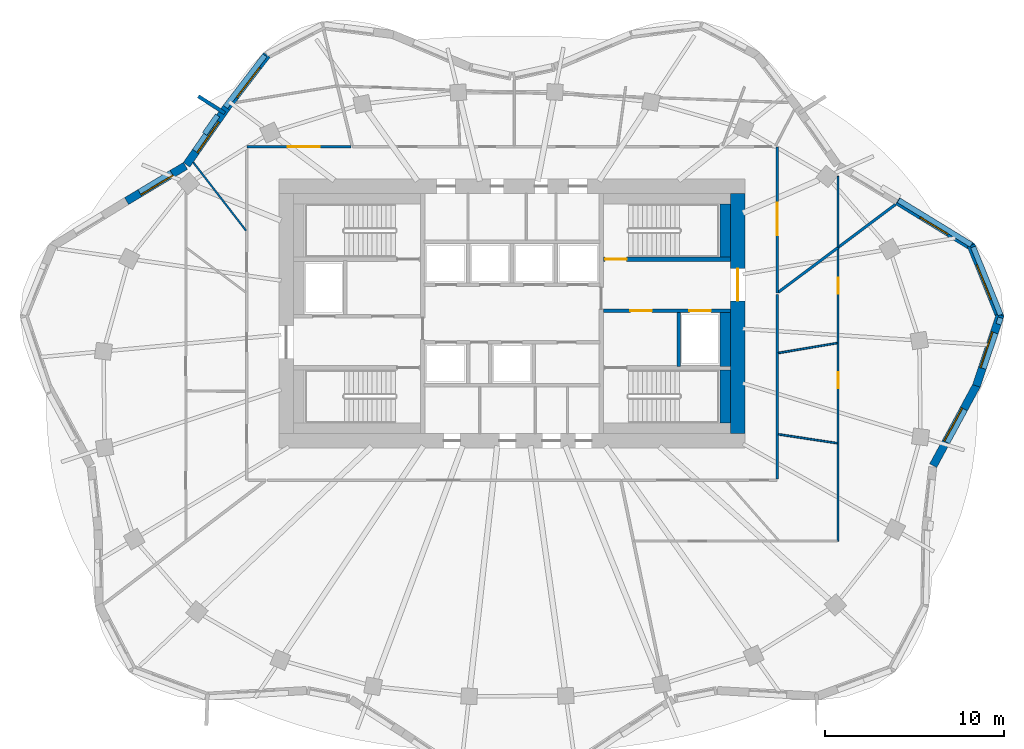
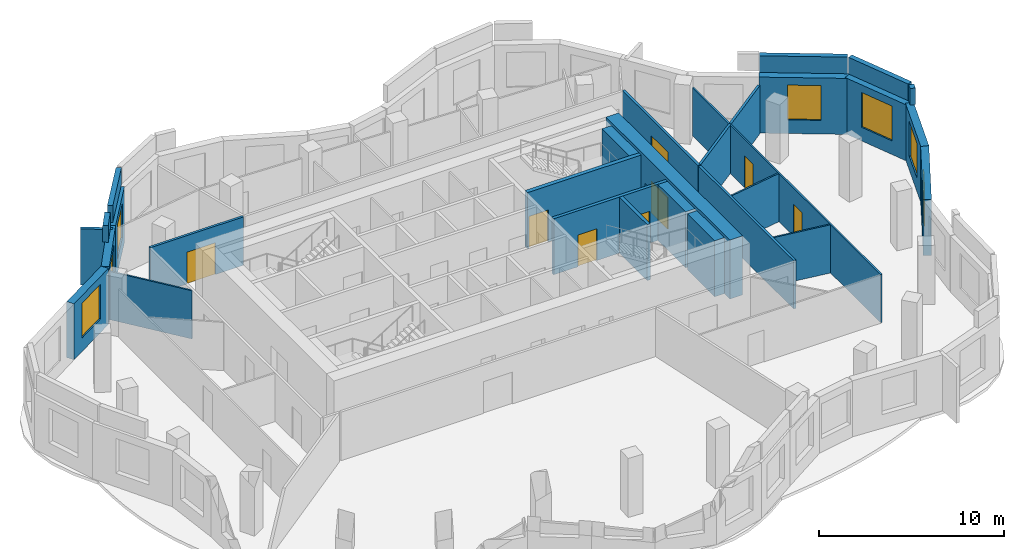
# One storey, part 6 of 9: 29 walls, 8 doors, 7 windows, 15 openings.
"""IFC4 building model written with IfcOpenShell, lengths in metres."""

from ifc_helpers import new_model, si_unit, direction, frame, frame_2d, origin, place, context, subcontext, project, spatial, rectangle, extrude, material, layer, layer_set, type_object, element, fill, save


model = new_model("IFC4")

# Units and contexts
model_context = context("Model", 3, precision=1e-05, world=origin(), true_north=direction((0.0, 1.0)))
body_context = subcontext(model_context, "Body", "Model", "MODEL_VIEW")
ifc_project = project(units=[si_unit("LENGTHUNIT", "METRE"), si_unit("AREAUNIT", "SQUARE_METRE"), si_unit("VOLUMEUNIT", "CUBIC_METRE"), si_unit("PLANEANGLEUNIT", "RADIAN"), si_unit("MASSUNIT", "GRAM", prefix="KILO")], contexts=[model_context])

# Site, building, storey
site_placement = place(None, origin())
site = spatial("IfcSite", under=ifc_project, at=site_placement, CompositionType="ELEMENT")
building_placement = place(site_placement, origin())
building = spatial("IfcBuilding", under=site, at=building_placement, Name="Rubra Terraces Tower", CompositionType="ELEMENT")
storey_placement = place(building_placement, frame((0.0, 0.0, 268.800048828125)))
storey = spatial("IfcBuildingStorey", under=building, at=storey_placement, Name="L66", CompositionType="ELEMENT", Elevation=268.800048828125)

# Wall, opening, window
ifc_material_1 = material(Name="Brick masonry red-brown", Category="masonry")
ifc_layer_1 = layer(ifc_material_1, 0.449951171875)
ifc_layer_set_1 = layer_set([ifc_layer_1], Name="Brick masonry red-brown")
wall_type_1 = type_object("IfcWallType", Name="Brick facade wall 450", PredefinedType="SOLIDWALL", material=ifc_layer_set_1)
wall_1_placement = place(storey_placement, frame((25.916748046875, 0.459228515625, 0.0), z_axis=(0.0, 0.0, 1.0), x_axis=(0.318032670005, 0.948079754456, 0.0)))
wall_1 = element("IfcWall", 1, at=wall_1_placement, inside=storey, type_object=wall_type_1, Name="Facade wall L66 bay 1", PredefinedType="SOLIDWALL", context=body_context, shape_type="SweptSolid", body=[
    extrude(rectangle(XDim=4.178466796875, YDim=0.449951171875, at=frame_2d((2.08935546875, 0.0))), origin(), (0.0, 0.0, 1.0), 3.699951171875),
])
opening_1_placement = place(wall_1_placement, frame((1.039306640625, 0.0, 0.89990234375)))
opening_1 = element("IfcOpeningElement", 2, at=opening_1_placement, cuts=wall_1, Name="Opening W1B", PredefinedType="OPENING", context=body_context, shape_type="SweptSolid", body=[
    extrude(rectangle(XDim=2.10009765625, YDim=2.300048828125, at=frame_2d((1.050048828125, 1.14990234375))), frame((0.0, 0.23486328125, 0.0), z_axis=(0.0, -1.0, 0.0), x_axis=(1.0, 0.0, 0.0)), (0.0, 0.0, 1.0), 0.469970703125),
])
ifc_material_2 = material(Name="Clear glass in aluminium frame", Category="aluminium")
window_type_1 = type_object("IfcWindowType", Name="Fixed deep-set window tall storey 2100 x 2300", PartitioningType="SINGLE_PANEL", PredefinedType="WINDOW", material=ifc_material_2)
window_1_placement = place(opening_1_placement, origin())
window_1 = element("IfcWindow", 3, at=window_1_placement, inside=storey, type_object=window_type_1, Name="Window L66 bay 1", OverallHeight=2.300048828125, OverallWidth=2.10009765625, PartitioningType="SINGLE_PANEL", PredefinedType="WINDOW", context=body_context, shape_type="SweptSolid", body=[
    extrude(rectangle(XDim=2.10009765625, YDim=2.300048828125, at=frame_2d((1.050048828125, 1.14990234375))), frame((0.0, 0.135009765625, 0.0), z_axis=(0.0, -1.0, 0.0), x_axis=(1.0, 0.0, 0.0)), (0.0, 0.0, 1.0), 0.06005859375),
])
fill(opening_1, window_1)

wall_2_placement = place(storey_placement, frame((27.250244140625, 4.264892578125, 0.0), z_axis=(0.0, 0.0, 1.0), x_axis=(-0.373899958574, 0.927469040442, 0.0)))
wall_2 = element("IfcWall", 4, at=wall_2_placement, inside=storey, type_object=wall_type_1, Name="Facade wall L66 bay 2", PredefinedType="SOLIDWALL", context=body_context, shape_type="SweptSolid", body=[
    extrude(rectangle(XDim=4.359130859375, YDim=0.449951171875, at=frame_2d((2.1796875, 0.0))), origin(), (0.0, 0.0, 1.0), 3.699951171875),
])
opening_2_placement = place(wall_2_placement, frame((1.129638671875, 0.0, 0.89990234375)))
opening_2 = element("IfcOpeningElement", 5, at=opening_2_placement, cuts=wall_2, Name="Opening W1B", PredefinedType="OPENING", context=body_context, shape_type="SweptSolid", body=[
    extrude(rectangle(XDim=2.10009765625, YDim=2.300048828125, at=frame_2d((1.050048828125, 1.14990234375))), frame((0.0, 0.23486328125, 0.0), z_axis=(0.0, -1.0, 0.0), x_axis=(1.0, 0.0, 0.0)), (0.0, 0.0, 1.0), 0.469970703125),
])
window_2_placement = place(opening_2_placement, origin())
window_2 = element("IfcWindow", 6, at=window_2_placement, inside=storey, type_object=window_type_1, Name="Window L66 bay 2", OverallHeight=2.300048828125, OverallWidth=2.10009765625, PartitioningType="SINGLE_PANEL", PredefinedType="WINDOW", context=body_context, shape_type="SweptSolid", body=[
    extrude(rectangle(XDim=2.10009765625, YDim=2.300048828125, at=frame_2d((1.050048828125, 1.14990234375))), frame((0.0, 0.135009765625, 0.0), z_axis=(0.0, -1.0, 0.0), x_axis=(1.0, 0.0, 0.0)), (0.0, 0.0, 1.0), 0.06005859375),
])
fill(opening_2, window_2)

wall_3_placement = place(storey_placement, frame((25.70751953125, 8.202392578125, 0.0), z_axis=(0.0, 0.0, 1.0), x_axis=(-0.852620493358, 0.522530663507, 0.0)))
wall_3 = element("IfcWall", 7, at=wall_3_placement, inside=storey, type_object=wall_type_1, Name="Facade wall L66 bay 3", PredefinedType="SOLIDWALL", context=body_context, shape_type="SweptSolid", body=[
    extrude(rectangle(XDim=4.923583984375, YDim=0.449951171875, at=frame_2d((2.4619140625, 0.0))), origin(), (0.0, 0.0, 1.0), 3.699951171875),
])
opening_3_placement = place(wall_3_placement, frame((1.561767578125, 0.0, 0.89990234375)))
opening_3 = element("IfcOpeningElement", 8, at=opening_3_placement, cuts=wall_3, Name="Opening W6B", PredefinedType="OPENING", context=body_context, shape_type="SweptSolid", body=[
    extrude(rectangle(XDim=1.800048828125, YDim=2.300048828125, at=frame_2d((0.89990234375, 1.14990234375))), frame((0.0, 0.23486328125, 0.0), z_axis=(0.0, -1.0, 0.0), x_axis=(1.0, 0.0, 0.0)), (0.0, 0.0, 1.0), 0.469970703125),
])
window_type_2 = type_object("IfcWindowType", Name="Fixed deep-set window at wind fin tall storey 1800 x 2300", PartitioningType="SINGLE_PANEL", PredefinedType="WINDOW", material=ifc_material_2)
window_3_placement = place(opening_3_placement, origin())
window_3 = element("IfcWindow", 9, at=window_3_placement, inside=storey, type_object=window_type_2, Name="Window L66 bay 3", OverallHeight=2.300048828125, OverallWidth=1.800048828125, PartitioningType="SINGLE_PANEL", PredefinedType="WINDOW", context=body_context, shape_type="SweptSolid", body=[
    extrude(rectangle(XDim=1.800048828125, YDim=2.300048828125, at=frame_2d((0.89990234375, 1.14990234375))), frame((0.0, 0.135009765625, 0.0), z_axis=(0.0, -1.0, 0.0), x_axis=(1.0, 0.0, 0.0)), (0.0, 0.0, 1.0), 0.06005859375),
])
fill(opening_3, window_3)

wall_4_placement = place(storey_placement, frame((-13.678955078125, 18.93212890625, 0.0), z_axis=(0.0, 0.0, 1.0), x_axis=(-0.608206493093, -0.793778849403, 0.0)))
wall_4 = element("IfcWall", 10, at=wall_4_placement, inside=storey, type_object=wall_type_1, Name="Facade wall L66 bay 15", PredefinedType="SOLIDWALL", context=body_context, shape_type="SweptSolid", body=[
    extrude(rectangle(XDim=3.712646484375, YDim=0.449951171875, at=frame_2d((1.8564453125, 0.0))), origin(), (0.0, 0.0, 1.0), 3.699951171875),
])
opening_4_placement = place(wall_4_placement, frame((0.806396484375, 0.0, 0.89990234375)))
opening_4 = element("IfcOpeningElement", 11, at=opening_4_placement, cuts=wall_4, Name="Opening W1B", PredefinedType="OPENING", context=body_context, shape_type="SweptSolid", body=[
    extrude(rectangle(XDim=2.10009765625, YDim=2.300048828125, at=frame_2d((1.050048828125, 1.14990234375))), frame((0.0, 0.23486328125, 0.0), z_axis=(0.0, -1.0, 0.0), x_axis=(1.0, 0.0, 0.0)), (0.0, 0.0, 1.0), 0.469970703125),
])
window_4_placement = place(opening_4_placement, origin())
window_4 = element("IfcWindow", 12, at=window_4_placement, inside=storey, type_object=window_type_1, Name="Window L66 bay 15", OverallHeight=2.300048828125, OverallWidth=2.10009765625, PartitioningType="SINGLE_PANEL", PredefinedType="WINDOW", context=body_context, shape_type="SweptSolid", body=[
    extrude(rectangle(XDim=2.10009765625, YDim=2.300048828125, at=frame_2d((1.050048828125, 1.14990234375))), frame((0.0, 0.135009765625, 0.0), z_axis=(0.0, -1.0, 0.0), x_axis=(1.0, 0.0, 0.0)), (0.0, 0.0, 1.0), 0.06005859375),
])
fill(opening_4, window_4)

wall_5_placement = place(storey_placement, frame((-15.93115234375, 15.992919921875, 0.0), z_axis=(0.0, 0.0, 1.0), x_axis=(-0.572923675708, -0.819608724828, 0.0)))
wall_5 = element("IfcWall", 13, at=wall_5_placement, inside=storey, type_object=wall_type_1, Name="Facade wall L66 bay 16", PredefinedType="SOLIDWALL", context=body_context, shape_type="SweptSolid", body=[
    extrude(rectangle(XDim=3.89453125, YDim=0.449951171875, at=frame_2d((1.947265625, 0.0))), origin(), (0.0, 0.0, 1.0), 3.699951171875),
])
opening_5_placement = place(wall_5_placement, frame((0.897216796875, 0.0, 0.89990234375)))
opening_5 = element("IfcOpeningElement", 14, at=opening_5_placement, cuts=wall_5, Name="Opening W1B", PredefinedType="OPENING", context=body_context, shape_type="SweptSolid", body=[
    extrude(rectangle(XDim=2.10009765625, YDim=2.300048828125, at=frame_2d((1.050048828125, 1.14990234375))), frame((0.0, 0.23486328125, 0.0), z_axis=(0.0, -1.0, 0.0), x_axis=(1.0, 0.0, 0.0)), (0.0, 0.0, 1.0), 0.469970703125),
])
window_5_placement = place(opening_5_placement, origin())
window_5 = element("IfcWindow", 15, at=window_5_placement, inside=storey, type_object=window_type_1, Name="Window L66 bay 16", OverallHeight=2.300048828125, OverallWidth=2.10009765625, PartitioningType="SINGLE_PANEL", PredefinedType="WINDOW", context=body_context, shape_type="SweptSolid", body=[
    extrude(rectangle(XDim=2.10009765625, YDim=2.300048828125, at=frame_2d((1.050048828125, 1.14990234375))), frame((0.0, 0.135009765625, 0.0), z_axis=(0.0, -1.0, 0.0), x_axis=(1.0, 0.0, 0.0)), (0.0, 0.0, 1.0), 0.06005859375),
])
fill(opening_5, window_5)

wall_6_placement = place(storey_placement, frame((-18.224853515625, 12.74169921875, 0.0), z_axis=(0.0, 0.0, 1.0), x_axis=(-0.857965073766, -0.513708022322, 0.0)))
wall_6 = element("IfcWall", 16, at=wall_6_placement, inside=storey, type_object=wall_type_1, Name="Facade wall L66 bay 17", PredefinedType="SOLIDWALL", context=body_context, shape_type="SweptSolid", body=[
    extrude(rectangle(XDim=3.82958984375, YDim=0.449951171875, at=frame_2d((1.914794921875, 0.0))), origin(), (0.0, 0.0, 1.0), 3.699951171875),
])
opening_6_placement = place(wall_6_placement, frame((0.86474609375, 0.0, 0.89990234375)))
opening_6 = element("IfcOpeningElement", 17, at=opening_6_placement, cuts=wall_6, Name="Opening W1B", PredefinedType="OPENING", context=body_context, shape_type="SweptSolid", body=[
    extrude(rectangle(XDim=2.10009765625, YDim=2.300048828125, at=frame_2d((1.050048828125, 1.14990234375))), frame((0.0, 0.23486328125, 0.0), z_axis=(0.0, -1.0, 0.0), x_axis=(1.0, 0.0, 0.0)), (0.0, 0.0, 1.0), 0.469970703125),
])
window_6_placement = place(opening_6_placement, origin())
window_6 = element("IfcWindow", 18, at=window_6_placement, inside=storey, type_object=window_type_1, Name="Window L66 bay 17", OverallHeight=2.300048828125, OverallWidth=2.10009765625, PartitioningType="SINGLE_PANEL", PredefinedType="WINDOW", context=body_context, shape_type="SweptSolid", body=[
    extrude(rectangle(XDim=2.10009765625, YDim=2.300048828125, at=frame_2d((1.050048828125, 1.14990234375))), frame((0.0, 0.135009765625, 0.0), z_axis=(0.0, -1.0, 0.0), x_axis=(1.0, 0.0, 0.0)), (0.0, 0.0, 1.0), 0.06005859375),
])
fill(opening_6, window_6)

wall_7_placement = place(storey_placement, frame((23.508056640625, -3.990478515625, 0.0), z_axis=(0.0, 0.0, 1.0), x_axis=(0.475469958794, 0.879731958203, 0.0)))
wall_7 = element("IfcWall", 19, at=wall_7_placement, inside=storey, type_object=wall_type_1, Name="Facade wall L66 bay 40", PredefinedType="SOLIDWALL", context=body_context, shape_type="SweptSolid", body=[
    extrude(rectangle(XDim=5.09814453125, YDim=0.449951171875, at=frame_2d((2.549072265625, 0.0))), origin(), (0.0, 0.0, 1.0), 3.699951171875),
])
opening_7_placement = place(wall_7_placement, frame((1.4990234375, 0.0, 0.89990234375)))
opening_7 = element("IfcOpeningElement", 20, at=opening_7_placement, cuts=wall_7, Name="Opening W1B", PredefinedType="OPENING", context=body_context, shape_type="SweptSolid", body=[
    extrude(rectangle(XDim=2.10009765625, YDim=2.300048828125, at=frame_2d((1.050048828125, 1.14990234375))), frame((0.0, 0.23486328125, 0.0), z_axis=(0.0, -1.0, 0.0), x_axis=(1.0, 0.0, 0.0)), (0.0, 0.0, 1.0), 0.469970703125),
])
window_7_placement = place(opening_7_placement, origin())
window_7 = element("IfcWindow", 21, at=window_7_placement, inside=storey, type_object=window_type_1, Name="Window L66 bay 40", OverallHeight=2.300048828125, OverallWidth=2.10009765625, PartitioningType="SINGLE_PANEL", PredefinedType="WINDOW", context=body_context, shape_type="SweptSolid", body=[
    extrude(rectangle(XDim=2.10009765625, YDim=2.300048828125, at=frame_2d((1.050048828125, 1.14990234375))), frame((0.0, 0.135009765625, 0.0), z_axis=(0.0, -1.0, 0.0), x_axis=(1.0, 0.0, 0.0)), (0.0, 0.0, 1.0), 0.06005859375),
])
fill(opening_7, window_7)

# Walls
ifc_layer_2 = layer(ifc_material_1, 0.300048828125)
ifc_layer_set_2 = layer_set([ifc_layer_2], Name="Brick masonry red-brown")
wall_type_2 = type_object("IfcWallType", Name="Brick parapet 300", PredefinedType="PARAPET", material=ifc_layer_set_2)
wall_8_placement = place(storey_placement, frame((27.14990234375, 3.89892578125, 3.89990234375), z_axis=(0.0, 0.0, 1.0), x_axis=(0.317752569667, 0.948173667885, 0.0)))
element("IfcWall", 22, at=wall_8_placement, inside=storey, type_object=wall_type_2, Name="Parapet L66 bay 1", PredefinedType="PARAPET", context=body_context, shape_type="SweptSolid", body=[
    extrude(rectangle(XDim=0.38427734375, YDim=0.300048828125, at=frame_2d((0.192138671875, 0.0))), origin(), (0.0, 0.0, 1.0), 1.10009765625),
])
wall_9_placement = place(storey_placement, frame((27.267333984375, 4.42333984375, 3.89990234375), z_axis=(0.0, 0.0, 1.0), x_axis=(-0.373941833041, 0.927452158066, 0.0)))
element("IfcWall", 23, at=wall_9_placement, inside=storey, type_object=wall_type_2, Name="Parapet L66 bay 2", PredefinedType="PARAPET", context=body_context, shape_type="SweptSolid", body=[
    extrude(rectangle(XDim=4.089599609375, YDim=0.300048828125, at=frame_2d((2.044921875, 0.0))), origin(), (0.0, 0.0, 1.0), 1.10009765625),
])
wall_10_placement = place(storey_placement, frame((25.640625, 8.33154296875, 3.89990234375), z_axis=(0.0, 0.0, 1.0), x_axis=(-0.85262629133, 0.522521202758, 0.0)))
element("IfcWall", 24, at=wall_10_placement, inside=storey, type_object=wall_type_2, Name="Parapet L66 bay 3", PredefinedType="PARAPET", context=body_context, shape_type="SweptSolid", body=[
    extrude(rectangle(XDim=4.764404296875, YDim=0.300048828125, at=frame_2d((2.38232421875, 0.0))), origin(), (0.0, 0.0, 1.0), 1.10009765625),
])
wall_11_placement = place(storey_placement, frame((-13.794921875, 18.904052734375, 3.89990234375), z_axis=(0.0, 0.0, 1.0), x_axis=(-0.608203510632, -0.793781134605, 0.0)))
element("IfcWall", 25, at=wall_11_placement, inside=storey, type_object=wall_type_2, Name="Parapet L66 bay 15", PredefinedType="PARAPET", context=body_context, shape_type="SweptSolid", body=[
    extrude(rectangle(XDim=3.619140625, YDim=0.300048828125, at=frame_2d((1.8095703125, 0.0))), origin(), (0.0, 0.0, 1.0), 1.10009765625),
])
wall_12_placement = place(storey_placement, frame((-16.431396484375, 15.553466796875, 3.89990234375), z_axis=(0.0, 0.0, 1.0), x_axis=(-0.572902892741, -0.819623252165, 0.0)))
element("IfcWall", 26, at=wall_12_placement, inside=storey, type_object=wall_type_2, Name="Parapet L66 bay 16", PredefinedType="PARAPET", context=body_context, shape_type="SweptSolid", body=[
    extrude(rectangle(XDim=1.259765625, YDim=0.300048828125, at=frame_2d((0.6298828125, 0.0))), origin(), (0.0, 0.0, 1.0), 1.10009765625),
])
ifc_layer_3 = layer(ifc_material_1, 0.199951171875)
ifc_layer_set_3 = layer_set([ifc_layer_3], Name="Brick masonry red-brown")
wall_type_3 = type_object("IfcWallType", Name="Brick wind fin 200", PredefinedType="SOLIDWALL", material=ifc_layer_set_3)
wall_13_placement = place(storey_placement, frame((-16.032958984375, 15.679931640625, 0.0), z_axis=(0.0, 0.0, 1.0), x_axis=(-0.842083858075, 0.539346619503, 0.0)))
element("IfcWall", 27, at=wall_13_placement, inside=storey, type_object=wall_type_3, Name="Wind fin L66 8", PredefinedType="SOLIDWALL", context=body_context, shape_type="SweptSolid", body=[
    extrude(rectangle(XDim=1.75, YDim=0.199951171875, at=frame_2d((0.875, 0.0))), origin(), (0.0, 0.0, 1.0), 3.699951171875),
])

# Wall, opening, door
ifc_material_3 = material(Name="Concrete C50", Category="concrete")
ifc_layer_4 = layer(ifc_material_3, 0.800048828125)
ifc_layer_set_4 = layer_set([ifc_layer_4], Name="Concrete C50")
wall_type_4 = type_object("IfcWallType", Name="CORE WALL 800 C50", PredefinedType="SHEAR", material=ifc_layer_set_4)
wall_14_placement = place(storey_placement, frame((12.60009765625, -2.199951171875, 0.0), z_axis=(0.0, 0.0, 1.0), x_axis=(0.0, 1.0, 0.0)))
wall_14 = element("IfcWall", 28, at=wall_14_placement, inside=storey, type_object=wall_type_4, Name="CORE WALL E L66", PredefinedType="SHEAR", context=body_context, shape_type="SweptSolid", body=[
    extrude(rectangle(XDim=13.39990234375, YDim=0.800048828125, at=frame_2d((6.699951171875, 0.0))), origin(), (0.0, 0.0, 1.0), 3.89990234375),
])
opening_8_placement = place(wall_14_placement, frame((7.39990234375, 0.0, 0.0)))
opening_8 = element("IfcOpeningElement", 29, at=opening_8_placement, cuts=wall_14, Name="Opening L66.C02", PredefinedType="OPENING", context=body_context, shape_type="SweptSolid", body=[
    extrude(rectangle(XDim=1.800048828125, YDim=2.10009765625, at=frame_2d((0.89990234375, 1.050048828125))), frame((0.0, 0.409912109375, 0.0), z_axis=(0.0, -1.0, 0.0), x_axis=(1.0, 0.0, 0.0)), (0.0, 0.0, 1.0), 0.820068359375),
])
ifc_material_4 = material(Name="Painted steel", Category="steel")
door_type_1 = type_object("IfcDoorType", Name="Fire door 1800x2100 double", OperationType="NOTDEFINED", PredefinedType="DOOR", material=ifc_material_4)
door_1_placement = place(opening_8_placement, origin())
door_1 = element("IfcDoor", 30, at=door_1_placement, inside=storey, type_object=door_type_1, Name="Core entrance door FF2", OperationType="DOUBLE_DOOR_SINGLE_SWING", OverallHeight=2.10009765625, OverallWidth=1.800048828125, PredefinedType="DOOR", context=body_context, shape_type="SweptSolid", body=[
    extrude(rectangle(XDim=1.800048828125, YDim=2.10009765625, at=frame_2d((0.89990234375, 1.050048828125))), frame((0.0, 0.02490234375, 0.0), z_axis=(0.0, -1.0, 0.0), x_axis=(1.0, 0.0, 0.0)), (0.0, 0.0, 1.0), 0.050048828125),
])
fill(opening_8, door_1)

ifc_material_5 = material(Name="Plasterboard on steel stud, mineral wool infill", Category="steel")
ifc_layer_5 = layer(ifc_material_5, 0.14990234375)
ifc_layer_set_5 = layer_set([ifc_layer_5], Name="Plasterboard on steel stud, mineral wool infill")
wall_type_5 = type_object("IfcWallType", Name="CORRIDOR PARTITION 150", PredefinedType="PARTITIONING", material=ifc_layer_set_5)
wall_15_placement = place(storey_placement, frame((14.800048828125, 5.6396484375, 0.0), z_axis=(0.0, 0.0, 1.0), x_axis=(0.0, 1.0, 0.0)))
wall_15 = element("IfcWall", 31, at=wall_15_placement, inside=storey, type_object=wall_type_5, Name="PARTITION", PredefinedType="PARTITIONING", context=body_context, shape_type="SweptSolid", body=[
    extrude(rectangle(XDim=8.160400390625, YDim=0.14990234375, at=frame_2d((4.080078125, 0.0))), origin(), (0.0, 0.0, 1.0), 3.197998046875),
])
opening_9_placement = place(wall_15_placement, frame((3.239990234375, 0.0, 0.0)))
opening_9 = element("IfcOpeningElement", 32, at=opening_9_placement, cuts=wall_15, Name="Opening 66-101", PredefinedType="OPENING", context=body_context, shape_type="SweptSolid", body=[
    extrude(rectangle(XDim=1.800048828125, YDim=2.10009765625, at=frame_2d((0.89990234375, 1.050048828125))), frame((0.0, 0.0849609375, 0.0), z_axis=(0.0, -1.0, 0.0), x_axis=(1.0, 0.0, 0.0)), (0.0, 0.0, 1.0), 0.169921875),
])
ifc_material_6 = material(Name="Painted timber door leaf, double", Category="wood")
door_type_2 = type_object("IfcDoorType", Name="ROOM DOUBLE DOOR 1800 X 2100", OperationType="DOUBLE_DOOR_SINGLE_SWING", PredefinedType="DOOR", material=ifc_material_6)
door_2_placement = place(opening_9_placement, origin())
door_2 = element("IfcDoor", 33, at=door_2_placement, inside=storey, type_object=door_type_2, Name="DOOR 66-101", OperationType="DOUBLE_DOOR_SINGLE_SWING", OverallHeight=2.10009765625, OverallWidth=1.800048828125, PredefinedType="DOOR", context=body_context, shape_type="SweptSolid", body=[
    extrude(rectangle(XDim=1.800048828125, YDim=2.10009765625, at=frame_2d((0.89990234375, 1.050048828125))), frame((0.0, 0.02490234375, 0.0), z_axis=(0.0, -1.0, 0.0), x_axis=(1.0, 0.0, 0.0)), (0.0, 0.0, 1.0), 0.050048828125),
])
fill(opening_9, door_2)

wall_16_placement = place(storey_placement, frame((-8.97705078125, 13.800048828125, 0.0), z_axis=(0.0, 0.0, 1.0), x_axis=(-1.0, 0.0, 0.0)))
wall_16 = element("IfcWall", 34, at=wall_16_placement, inside=storey, type_object=wall_type_5, Name="PARTITION", PredefinedType="PARTITIONING", context=body_context, shape_type="SweptSolid", body=[
    extrude(rectangle(XDim=5.822998046875, YDim=0.14990234375, at=frame_2d((2.91162109375, 0.0))), origin(), (0.0, 0.0, 1.0), 3.197998046875),
])
opening_10_placement = place(wall_16_placement, frame((1.75, 0.0, 0.0)))
opening_10 = element("IfcOpeningElement", 35, at=opening_10_placement, cuts=wall_16, Name="Opening 66-105", PredefinedType="OPENING", context=body_context, shape_type="SweptSolid", body=[
    extrude(rectangle(XDim=1.800048828125, YDim=2.10009765625, at=frame_2d((0.89990234375, 1.050048828125))), frame((0.0, 0.0849609375, 0.0), z_axis=(0.0, -1.0, 0.0), x_axis=(1.0, 0.0, 0.0)), (0.0, 0.0, 1.0), 0.169921875),
])
door_3_placement = place(opening_10_placement, origin())
door_3 = element("IfcDoor", 36, at=door_3_placement, inside=storey, type_object=door_type_2, Name="DOOR 66-105", OperationType="DOUBLE_DOOR_SINGLE_SWING", OverallHeight=2.10009765625, OverallWidth=1.800048828125, PredefinedType="DOOR", context=body_context, shape_type="SweptSolid", body=[
    extrude(rectangle(XDim=1.800048828125, YDim=2.10009765625, at=frame_2d((0.89990234375, 1.050048828125))), frame((0.0, 0.02490234375, 0.0), z_axis=(0.0, -1.0, 0.0), x_axis=(1.0, 0.0, 0.0)), (0.0, 0.0, 1.0), 0.050048828125),
])
fill(opening_10, door_3)

# Walls
wall_17_placement = place(storey_placement, frame((14.800048828125, -4.72509765625, 0.0), z_axis=(0.0, 0.0, 1.0), x_axis=(0.0, 1.0, 0.0)))
element("IfcWall", 37, at=wall_17_placement, inside=storey, type_object=wall_type_5, Name="PARTITION", PredefinedType="PARTITIONING", context=body_context, shape_type="SweptSolid", body=[
    extrude(rectangle(XDim=10.289794921875, YDim=0.14990234375, at=frame_2d((5.14501953125, 0.0))), origin(), (0.0, 0.0, 1.0), 3.197998046875),
])
ifc_material_7 = material(Name="Concrete C40", Category="concrete")
ifc_layer_6 = layer(ifc_material_7, 0.60009765625)
ifc_layer_set_6 = layer_set([ifc_layer_6], Name="Concrete C40")
wall_type_6 = type_object("IfcWallType", Name="Core lining wall 600 concrete", PredefinedType="SOLIDWALL", material=ifc_layer_set_6)
wall_18_placement = place(storey_placement, frame((11.89990234375, 10.60009765625, 0.0), z_axis=(0.0, 0.0, 1.0), x_axis=(0.0, -1.0, 0.0)))
element("IfcWall", 38, at=wall_18_placement, inside=storey, type_object=wall_type_6, Name="CORE LINING WALL L66", PredefinedType="SOLIDWALL", context=body_context, shape_type="SweptSolid", body=[
    extrude(rectangle(XDim=2.9501953125, YDim=0.60009765625, at=frame_2d((1.47509765625, 0.0))), origin(), (0.0, 0.0, 1.0), 3.699951171875),
])
wall_19_placement = place(storey_placement, frame((11.89990234375, 4.550048828125, 0.0), z_axis=(0.0, 0.0, 1.0), x_axis=(0.0, -1.0, 0.0)))
element("IfcWall", 39, at=wall_19_placement, inside=storey, type_object=wall_type_6, Name="CORE LINING WALL L66", PredefinedType="SOLIDWALL", context=body_context, shape_type="SweptSolid", body=[
    extrude(rectangle(XDim=3.0, YDim=0.60009765625, at=frame_2d((1.5, 0.0))), origin(), (0.0, 0.0, 1.0), 3.699951171875),
])
wall_20_placement = place(storey_placement, frame((11.89990234375, 1.35009765625, 0.0), z_axis=(0.0, 0.0, 1.0), x_axis=(0.0, -1.0, 0.0)))
element("IfcWall", 40, at=wall_20_placement, inside=storey, type_object=wall_type_6, Name="CORE LINING WALL L66", PredefinedType="SOLIDWALL", context=body_context, shape_type="SweptSolid", body=[
    extrude(rectangle(XDim=2.9501953125, YDim=0.60009765625, at=frame_2d((1.47509765625, 0.0))), origin(), (0.0, 0.0, 1.0), 3.699951171875),
])

# Wall, openings, doors
ifc_material_8 = material(Name="Concrete C30", Category="concrete")
ifc_layer_7 = layer(ifc_material_8, 0.199951171875)
ifc_layer_set_7 = layer_set([ifc_layer_7], Name="Concrete C30")
wall_type_7 = type_object("IfcWallType", Name="Core wall 200 concrete", PredefinedType="SOLIDWALL", material=ifc_layer_set_7)
wall_21_placement = place(storey_placement, frame((12.199951171875, 4.64990234375, 0.0), z_axis=(0.0, 0.0, 1.0), x_axis=(-1.0, 0.0, 0.0)))
wall_21 = element("IfcWall", 41, at=wall_21_placement, inside=storey, type_object=wall_type_7, Name="STAIR WALL L66", PredefinedType="SOLIDWALL", context=body_context, shape_type="SweptSolid", body=[
    extrude(rectangle(XDim=7.099853515625, YDim=0.199951171875, at=frame_2d((3.5498046875, 0.0))), origin(), (0.0, 0.0, 1.0), 3.699951171875),
])
opening_11_placement = place(wall_21_placement, frame((4.39990234375, 0.0, 0.0)))
opening_11 = element("IfcOpeningElement", 42, at=opening_11_placement, cuts=wall_21, Name="Opening L66.C06", PredefinedType="OPENING", context=body_context, shape_type="SweptSolid", body=[
    extrude(rectangle(XDim=1.199951171875, YDim=2.10009765625, at=frame_2d((0.60009765625, 1.050048828125))), frame((0.0, 0.10986328125, 0.0), z_axis=(0.0, -1.0, 0.0), x_axis=(1.0, 0.0, 0.0)), (0.0, 0.0, 1.0), 0.219970703125),
])
opening_12_placement = place(wall_21_placement, frame((1.10009765625, 0.0, 0.0)))
opening_12 = element("IfcOpeningElement", 43, at=opening_12_placement, cuts=wall_21, Name="Opening L66.C12", PredefinedType="OPENING", context=body_context, shape_type="SweptSolid", body=[
    extrude(rectangle(XDim=1.199951171875, YDim=2.10009765625, at=frame_2d((0.60009765625, 1.050048828125))), frame((0.0, 0.10986328125, 0.0), z_axis=(0.0, -1.0, 0.0), x_axis=(1.0, 0.0, 0.0)), (0.0, 0.0, 1.0), 0.219970703125),
])
door_type_3 = type_object("IfcDoorType", Name="Fire door 1200x2100 single", OperationType="NOTDEFINED", PredefinedType="DOOR", material=ifc_material_4)
door_4_placement = place(opening_11_placement, origin())
door_4 = element("IfcDoor", 44, at=door_4_placement, inside=storey, type_object=door_type_3, Name="Stair vestibule door S4", OperationType="SINGLE_SWING_RIGHT", OverallHeight=2.10009765625, OverallWidth=1.199951171875, PredefinedType="DOOR", context=body_context, shape_type="SweptSolid", body=[
    extrude(rectangle(XDim=1.199951171875, YDim=2.10009765625, at=frame_2d((0.60009765625, 1.050048828125))), frame((0.0, 0.02490234375, 0.0), z_axis=(0.0, -1.0, 0.0), x_axis=(1.0, 0.0, 0.0)), (0.0, 0.0, 1.0), 0.050048828125),
])
fill(opening_11, door_4)
ifc_material_9 = material(Name="Stainless steel", Category="steel")
door_type_4 = type_object("IfcDoorType", Name="Lift landing door 1200x2100", OperationType="NOTDEFINED", PredefinedType="DOOR", material=ifc_material_9)
door_5_placement = place(opening_12_placement, origin())
door_5 = element("IfcDoor", 45, at=door_5_placement, inside=storey, type_object=door_type_4, Name="Landing door FF2", OperationType="SLIDING_TO_RIGHT", OverallHeight=2.10009765625, OverallWidth=1.199951171875, PredefinedType="DOOR", context=body_context, shape_type="SweptSolid", body=[
    extrude(rectangle(XDim=1.199951171875, YDim=2.10009765625, at=frame_2d((0.60009765625, 1.050048828125))), frame((0.0, 0.02490234375, 0.0), z_axis=(0.0, -1.0, 0.0), x_axis=(1.0, 0.0, 0.0)), (0.0, 0.0, 1.0), 0.050048828125),
])
fill(opening_12, door_5)

# Walls
wall_22_placement = place(storey_placement, frame((9.300048828125, 4.550048828125, 0.0), z_axis=(0.0, 0.0, 1.0), x_axis=(0.0, -1.0, 0.0)))
element("IfcWall", 46, at=wall_22_placement, inside=storey, type_object=wall_type_7, Name="STAIR WALL L66", PredefinedType="SOLIDWALL", context=body_context, shape_type="SweptSolid", body=[
    extrude(rectangle(XDim=3.0, YDim=0.199951171875, at=frame_2d((1.5, 0.0))), origin(), (0.0, 0.0, 1.0), 3.699951171875),
])
ifc_material_10 = material(Name="Plasterboard on steel stud", Category="steel")
ifc_layer_8 = layer(ifc_material_10, 0.10009765625)
ifc_layer_set_8 = layer_set([ifc_layer_8], Name="Plasterboard on steel stud")
wall_type_8 = type_object("IfcWallType", Name="ROOM PARTITION 100", PredefinedType="PARTITIONING", material=ifc_layer_set_8)
wall_23_placement = place(storey_placement, frame((18.199951171875, 12.158447265625, 0.0), z_axis=(0.0, 0.0, 1.0), x_axis=(0.0, -1.0, 0.0)))
element("IfcWall", 47, at=wall_23_placement, inside=storey, type_object=wall_type_8, Name="PARTITION", PredefinedType="PARTITIONING", context=body_context, shape_type="SweptSolid", body=[
    extrude(rectangle(XDim=3.94775390625, YDim=0.10009765625, at=frame_2d((1.973876953125, 0.0))), origin(), (0.0, 0.0, 1.0), 3.183837890625),
])
wall_24_placement = place(storey_placement, frame((-14.845947265625, 9.129150390625, 0.0), z_axis=(0.0, 0.0, 1.0), x_axis=(-0.611737488733, 0.791060835132, 0.0)))
element("IfcWall", 48, at=wall_24_placement, inside=storey, type_object=wall_type_8, Name="PARTITION", PredefinedType="PARTITIONING", context=body_context, shape_type="SweptSolid", body=[
    extrude(rectangle(XDim=4.8154296875, YDim=0.10009765625, at=frame_2d((2.40771484375, 0.0))), origin(), (0.0, 0.0, 1.0), 3.183837890625),
])

# Wall, openings, doors
wall_25_placement = place(storey_placement, frame((18.199951171875, 8.160888671875, 0.0), z_axis=(0.0, 0.0, 1.0), x_axis=(0.0, -1.0, 0.0)))
wall_25 = element("IfcWall", 49, at=wall_25_placement, inside=storey, type_object=wall_type_8, Name="PARTITION", PredefinedType="PARTITIONING", context=body_context, shape_type="SweptSolid", body=[
    extrude(rectangle(XDim=16.36083984375, YDim=0.10009765625, at=frame_2d((8.180419921875, 0.0))), origin(), (0.0, 0.0, 1.0), 3.183837890625),
])
opening_13_placement = place(wall_25_placement, frame((6.93798828125, 0.0, 0.0)))
opening_13 = element("IfcOpeningElement", 50, at=opening_13_placement, cuts=wall_25, Name="Opening 66-113", PredefinedType="OPENING", context=body_context, shape_type="SweptSolid", body=[
    extrude(rectangle(XDim=0.89990234375, YDim=2.10009765625, at=frame_2d((0.449951171875, 1.050048828125))), frame((0.0, 0.06005859375, 0.0), z_axis=(0.0, -1.0, 0.0), x_axis=(1.0, 0.0, 0.0)), (0.0, 0.0, 1.0), 0.1201171875),
])
opening_14_placement = place(wall_25_placement, frame((1.652099609375, 0.0, 0.0)))
opening_14 = element("IfcOpeningElement", 51, at=opening_14_placement, cuts=wall_25, Name="Opening 66-114", PredefinedType="OPENING", context=body_context, shape_type="SweptSolid", body=[
    extrude(rectangle(XDim=0.89990234375, YDim=2.10009765625, at=frame_2d((0.449951171875, 1.050048828125))), frame((0.0, 0.06005859375, 0.0), z_axis=(0.0, -1.0, 0.0), x_axis=(1.0, 0.0, 0.0)), (0.0, 0.0, 1.0), 0.1201171875),
])
ifc_material_11 = material(Name="Painted timber door leaf", Category="wood")
door_type_5 = type_object("IfcDoorType", Name="ROOM DOOR 900 X 2100", OperationType="SINGLE_SWING_LEFT", PredefinedType="DOOR", material=ifc_material_11)
door_6_placement = place(opening_13_placement, origin())
door_6 = element("IfcDoor", 52, at=door_6_placement, inside=storey, type_object=door_type_5, Name="DOOR 66-113", OperationType="SINGLE_SWING_LEFT", OverallHeight=2.10009765625, OverallWidth=0.89990234375, PredefinedType="DOOR", context=body_context, shape_type="SweptSolid", body=[
    extrude(rectangle(XDim=0.89990234375, YDim=2.10009765625, at=frame_2d((0.449951171875, 1.050048828125))), frame((0.0, 0.02490234375, 0.0), z_axis=(0.0, -1.0, 0.0), x_axis=(1.0, 0.0, 0.0)), (0.0, 0.0, 1.0), 0.050048828125),
])
fill(opening_13, door_6)
door_7_placement = place(opening_14_placement, origin())
door_7 = element("IfcDoor", 53, at=door_7_placement, inside=storey, type_object=door_type_5, Name="DOOR 66-114", OperationType="SINGLE_SWING_LEFT", OverallHeight=2.10009765625, OverallWidth=0.89990234375, PredefinedType="DOOR", context=body_context, shape_type="SweptSolid", body=[
    extrude(rectangle(XDim=0.89990234375, YDim=2.10009765625, at=frame_2d((0.449951171875, 1.050048828125))), frame((0.0, 0.02490234375, 0.0), z_axis=(0.0, -1.0, 0.0), x_axis=(1.0, 0.0, 0.0)), (0.0, 0.0, 1.0), 0.050048828125),
])
fill(opening_14, door_7)

# Walls
wall_26_placement = place(storey_placement, frame((14.874267578125, -2.243408203125, 0.0), z_axis=(0.0, 0.0, 1.0), x_axis=(0.988784515255, -0.149349196157, 0.0)))
element("IfcWall", 54, at=wall_26_placement, inside=storey, type_object=wall_type_8, Name="PARTITION", PredefinedType="PARTITIONING", context=body_context, shape_type="SweptSolid", body=[
    extrude(rectangle(XDim=3.3134765625, YDim=0.10009765625, at=frame_2d((1.65673828125, 0.0))), origin(), (0.0, 0.0, 1.0), 3.183837890625),
])
wall_27_placement = place(storey_placement, frame((14.8740234375, 2.29833984375, 0.0), z_axis=(0.0, 0.0, 1.0), x_axis=(0.986140556788, 0.165912031684, 0.0)))
element("IfcWall", 55, at=wall_27_placement, inside=storey, type_object=wall_type_8, Name="PARTITION", PredefinedType="PARTITIONING", context=body_context, shape_type="SweptSolid", body=[
    extrude(rectangle(XDim=3.32275390625, YDim=0.10009765625, at=frame_2d((1.661376953125, 0.0))), origin(), (0.0, 0.0, 1.0), 3.183837890625),
])
ifc_layer_9 = layer(ifc_material_10, 0.14990234375)
ifc_layer_set_9 = layer_set([ifc_layer_9], Name="Plasterboard on steel stud")
wall_type_9 = type_object("IfcWallType", Name="ROOM PARTITION 150", PredefinedType="PARTITIONING", material=ifc_layer_set_9)
wall_28_placement = place(storey_placement, frame((21.393798828125, 10.577392578125, 0.0), z_axis=(0.0, 0.0, 1.0), x_axis=(-0.800437661835, -0.599416007056, 0.0)))
element("IfcWall", 56, at=wall_28_placement, inside=storey, type_object=wall_type_9, Name="PARTITION", PredefinedType="PARTITIONING", context=body_context, shape_type="SweptSolid", body=[
    extrude(rectangle(XDim=8.16259765625, YDim=0.14990234375, at=frame_2d((4.081298828125, 0.0))), origin(), (0.0, 0.0, 1.0), 3.183837890625),
])

# Wall, opening, door
ifc_layer_10 = layer(ifc_material_7, 0.25)
ifc_layer_set_10 = layer_set([ifc_layer_10], Name="Concrete C40")
wall_type_10 = type_object("IfcWallType", Name="Stair enclosure wall 250 concrete", PredefinedType="SOLIDWALL", material=ifc_layer_set_10)
wall_29_placement = place(storey_placement, frame((12.199951171875, 7.52490234375, 0.0), z_axis=(0.0, 0.0, 1.0), x_axis=(-1.0, 0.0, 0.0)))
wall_29 = element("IfcWall", 57, at=wall_29_placement, inside=storey, type_object=wall_type_10, Name="STAIR WALL L66", PredefinedType="SOLIDWALL", context=body_context, shape_type="SweptSolid", body=[
    extrude(rectangle(XDim=7.099853515625, YDim=0.25, at=frame_2d((3.5498046875, 0.0))), origin(), (0.0, 0.0, 1.0), 3.699951171875),
])
opening_15_placement = place(wall_29_placement, frame((5.800048828125, 0.0, 0.0)))
opening_15 = element("IfcOpeningElement", 58, at=opening_15_placement, cuts=wall_29, Name="Opening L66.C08", PredefinedType="OPENING", context=body_context, shape_type="SweptSolid", body=[
    extrude(rectangle(XDim=1.199951171875, YDim=2.10009765625, at=frame_2d((0.60009765625, 1.050048828125))), frame((0.0, 0.135009765625, 0.0), z_axis=(0.0, -1.0, 0.0), x_axis=(1.0, 0.0, 0.0)), (0.0, 0.0, 1.0), 0.27001953125),
])
door_8_placement = place(opening_15_placement, origin())
door_8 = element("IfcDoor", 59, at=door_8_placement, inside=storey, type_object=door_type_3, Name="Stair door S3", OperationType="SINGLE_SWING_RIGHT", OverallHeight=2.10009765625, OverallWidth=1.199951171875, PredefinedType="DOOR", context=body_context, shape_type="SweptSolid", body=[
    extrude(rectangle(XDim=1.199951171875, YDim=2.10009765625, at=frame_2d((0.60009765625, 1.050048828125))), frame((0.0, 0.02490234375, 0.0), z_axis=(0.0, -1.0, 0.0), x_axis=(1.0, 0.0, 0.0)), (0.0, 0.0, 1.0), 0.050048828125),
])
fill(opening_15, door_8)

save(model, "model.ifc")
